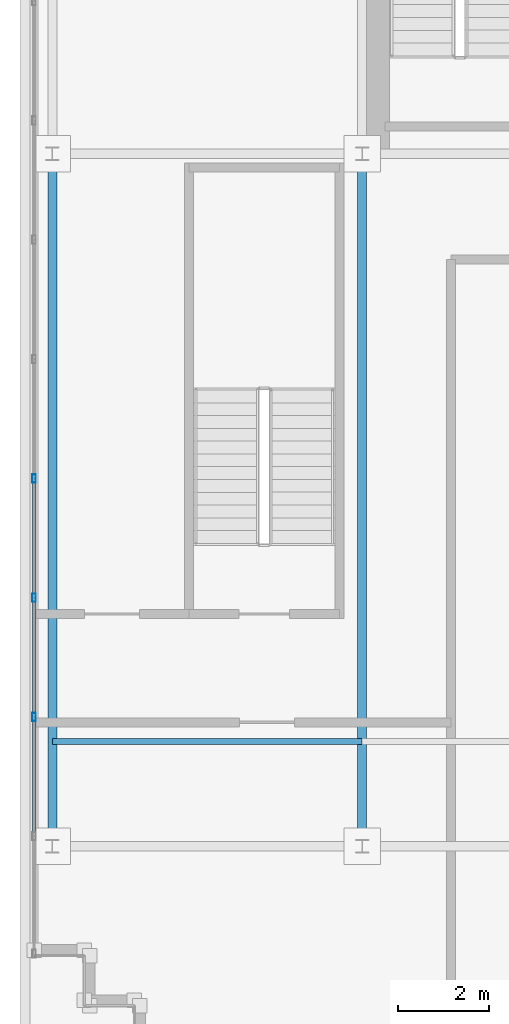
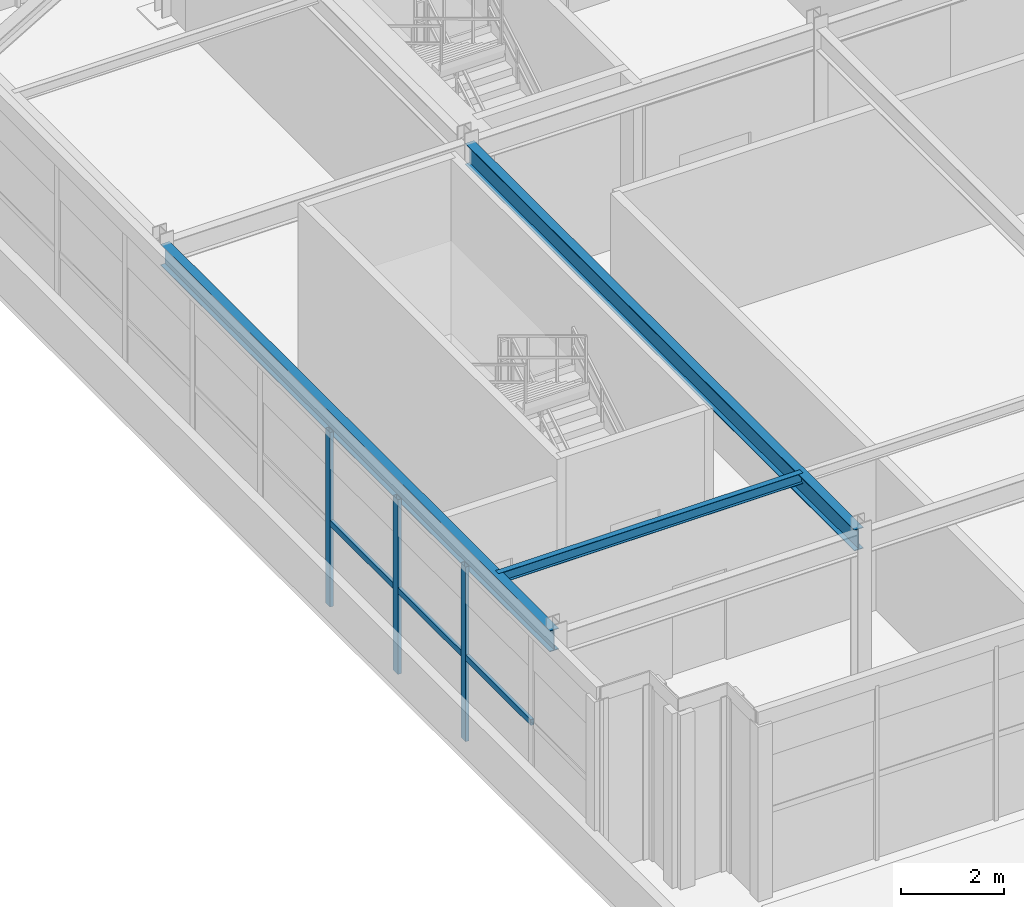
# One storey, part 8 of 38: 7 members, 2 beams, 1 element without a shape of its own.
"""IFC4 building model written with IfcOpenShell, lengths in metres."""

from ifc_helpers import new_model, si_unit, direction, frame, origin, origin_2d, place, context, subcontext, project, spatial, hollow_rectangle, i_section, extrude, source, transform, mapped, material, material_profile, profile_set, type_object, element, aggregate, save


model = new_model("IFC4")

# Units and contexts
model_context = context("Model", 3, precision=1e-05, world=origin(), true_north=direction((0.0, 1.0)))
body_context = subcontext(model_context, "Body", "Model", "MODEL_VIEW")
ifc_project = project(units=[si_unit("LENGTHUNIT", "METRE"), si_unit("AREAUNIT", "SQUARE_METRE"), si_unit("VOLUMEUNIT", "CUBIC_METRE"), si_unit("PLANEANGLEUNIT", "RADIAN"), si_unit("MASSUNIT", "GRAM", prefix="KILO")], contexts=[model_context])

# Site, building, storey
site_placement = place(None, origin())
site = spatial("IfcSite", under=ifc_project, at=site_placement, CompositionType="ELEMENT")
building_placement = place(site_placement, origin())
building = spatial("IfcBuilding", under=site, at=building_placement, Name="Trelvane Seafront Commons", CompositionType="ELEMENT")
storey_placement = place(building_placement, frame((0.0, 0.0, 299.10009765625)))
storey = spatial("IfcBuildingStorey", under=building, at=storey_placement, Name="L78", CompositionType="ELEMENT", Elevation=299.10009765625)

# Beams
ifc_material_1 = material(Name="Steel SM355 (S355)", Category="steel")
ifc_material_profile_1 = material_profile(ifc_material_1, i_section(OverallWidth=0.199951171875, OverallDepth=0.5, WebThickness=0.010009765625, FlangeThickness=0.01611328125, at=origin_2d()), Name="H-500x200x10x16")
ifc_profile_set_1 = profile_set([ifc_material_profile_1], Name="Steel SM355 (S355)")
beam_type = type_object("IfcBeamType", Name="STR-BM-H500", PredefinedType="BEAM", material=ifc_profile_set_1)
shared_shape_1 = source(origin(), body_context, "Body", "SweptSolid", [
    extrude(i_section(OverallWidth=0.199951171875, OverallDepth=0.5, WebThickness=0.010009765625, FlangeThickness=0.01611328125, at=origin_2d()), origin(), (0.0, 0.0, 1.0), 15.050048828125),
])
for number, where, z_axis, x_axis, name in (
    (1, (8.800048828125, 18.27490234375, 3.869873046875), (0.0, 1.0, 0.0), (-1.0, 0.0, 0.0), "L78 Primary Girder G-22"),
    (2, (15.60009765625, 18.27490234375, 3.869873046875), (0.0, 1.0, 0.0), (-1.0, 0.0, 0.0), "L78 Primary Girder G-24"),
):
    element("IfcBeam", number, at=place(storey_placement, frame(where, z_axis=z_axis, x_axis=x_axis)), inside=storey, type_object=beam_type, Name=name, PredefinedType="BEAM", context=body_context, shape_type="MappedRepresentation", body=[
        mapped(shared_shape_1, transform((0.0, 0.0, 0.0), x_axis=(1.0, 0.0, 0.0), y_axis=(0.0, 1.0, 0.0), z_axis=(0.0, 0.0, 1.0), scale=1.0)),
    ])

# Member
ifc_material_profile_2 = material_profile(ifc_material_1, i_section(OverallWidth=0.125, OverallDepth=0.25, WebThickness=0.006103515625, FlangeThickness=0.009033203125, at=origin_2d()), Name="H-250x125x6x9")
ifc_profile_set_2 = profile_set([ifc_material_profile_2], Name="Steel SM355 (S355)")
member_type_1 = type_object("IfcMemberType", Name="STR-PUR-H250", PredefinedType="PURLIN", material=ifc_profile_set_2)
shared_shape_2 = source(origin(), body_context, "Body", "SweptSolid", [
    extrude(i_section(OverallWidth=0.125, OverallDepth=0.25, WebThickness=0.006103515625, FlangeThickness=0.009033203125, at=origin_2d()), origin(), (0.0, 0.0, 1.0), 6.800048828125),
])
member_1_placement = place(storey_placement, frame((8.800048828125, 20.5, 3.994873046875), z_axis=(1.0, 0.0, 0.0), x_axis=(0.0, 1.0, 0.0)))
element("IfcMember", 3, at=member_1_placement, inside=storey, type_object=member_type_1, Name="L78 Crown Roof Purlin PR-1", PredefinedType="PURLIN", context=body_context, shape_type="MappedRepresentation", body=[
    mapped(shared_shape_2, transform((0.0, 0.0, 0.0), x_axis=(1.0, 0.0, 0.0), y_axis=(0.0, 1.0, 0.0), z_axis=(0.0, 0.0, 1.0), scale=1.0)),
])

# Curtain wall, members
ifc_material_2 = material(Name="Anodised pale-silver aluminium", Category="aluminium")
curtain_wall_type = type_object("IfcCurtainWallType", Name="ARCH-CW6-CROWN", PredefinedType="NOTDEFINED", material=ifc_material_2)
curtain_wall_placement = place(storey_placement, origin())
curtain_wall = element("IfcCurtainWall", 4, at=curtain_wall_placement, inside=storey, type_object=curtain_wall_type, Name="CW-L78-0124", PredefinedType="NOTDEFINED")
ifc_material_profile_3 = material_profile(ifc_material_2, hollow_rectangle(XDim=0.080078125, YDim=0.179931640625, WallThickness=0.00439453125, at=origin_2d()), Name="MULL-80x180x4.5")
ifc_profile_set_3 = profile_set([ifc_material_profile_3], Name="Anodised pale-silver aluminium")
member_type_2 = type_object("IfcMemberType", Name="ARCH-CW-MULL-180", PredefinedType="MULLION", material=ifc_profile_set_3)
shared_shape_3 = source(origin(), body_context, "Body", "SweptSolid", [
    extrude(hollow_rectangle(XDim=0.080078125, YDim=0.179931640625, WallThickness=0.00439453125, at=origin_2d()), origin(), (0.0, 0.0, 1.0), 4.119873046875),
])
member_2_placement = place(storey_placement, frame((8.39990234375, 21.036376953125, 0.0), z_axis=(0.0, 0.0, 1.0), x_axis=(1.0, 0.0, 0.0)))
member_2 = element("IfcMember", 5, at=member_2_placement, type_object=member_type_2, Name="CW-L78-0124-M02", PredefinedType="MULLION", context=body_context, shape_type="MappedRepresentation", body=[
    mapped(shared_shape_3, transform((0.0, 0.0, 0.0), x_axis=(1.0, 0.0, 0.0), y_axis=(0.0, 1.0, 0.0), z_axis=(0.0, 0.0, 1.0), scale=1.0)),
])
member_3_placement = place(storey_placement, frame((8.39990234375, 23.654541015625, 0.0), z_axis=(0.0, 0.0, 1.0), x_axis=(1.0, 0.0, 0.0)))
member_3 = element("IfcMember", 6, at=member_3_placement, type_object=member_type_2, Name="CW-L78-0124-M03", PredefinedType="MULLION", context=body_context, shape_type="MappedRepresentation", body=[
    mapped(shared_shape_3, transform((0.0, 0.0, 0.0), x_axis=(1.0, 0.0, 0.0), y_axis=(0.0, 1.0, 0.0), z_axis=(0.0, 0.0, 1.0), scale=1.0)),
])
member_4_placement = place(storey_placement, frame((8.39990234375, 26.272705078125, 0.0), z_axis=(0.0, 0.0, 1.0), x_axis=(1.0, 0.0, 0.0)))
member_4 = element("IfcMember", 7, at=member_4_placement, type_object=member_type_2, Name="CW-L78-0124-M04", PredefinedType="MULLION", context=body_context, shape_type="MappedRepresentation", body=[
    mapped(shared_shape_3, transform((0.0, 0.0, 0.0), x_axis=(1.0, 0.0, 0.0), y_axis=(0.0, 1.0, 0.0), z_axis=(0.0, 0.0, 1.0), scale=1.0)),
])
ifc_material_profile_4 = material_profile(ifc_material_2, hollow_rectangle(XDim=0.074951171875, YDim=0.139892578125, WallThickness=0.00390625, at=origin_2d()), Name="TRAN-75x140x4")
ifc_profile_set_4 = profile_set([ifc_material_profile_4], Name="Anodised pale-silver aluminium")
member_type_3 = type_object("IfcMemberType", Name="ARCH-CW-TRAN-140", PredefinedType="USERDEFINED", material=ifc_profile_set_4)
shared_shape_4 = source(origin(), body_context, "Body", "SweptSolid", [
    extrude(hollow_rectangle(XDim=0.074951171875, YDim=0.139892578125, WallThickness=0.00390625, at=origin_2d()), origin(), (0.0, 0.0, 1.0), 2.59423828125),
])
member_5_placement = place(storey_placement, frame((8.39990234375, 18.43017578125, 1.977783203125), z_axis=(0.0, 1.0, 0.0), x_axis=(-1.0, 0.0, 0.0)))
member_5 = element("IfcMember", 8, at=member_5_placement, type_object=member_type_3, Name="CW-L78-0124-T01", ObjectType="TRANSOM", PredefinedType="USERDEFINED", context=body_context, shape_type="MappedRepresentation", body=[
    mapped(shared_shape_4, transform((0.0, 0.0, 0.0), x_axis=(1.0, 0.0, 0.0), y_axis=(0.0, 1.0, 0.0), z_axis=(0.0, 0.0, 1.0), scale=1.0)),
])
member_6_placement = place(storey_placement, frame((8.39990234375, 21.04833984375, 1.977783203125), z_axis=(0.0, 1.0, 0.0), x_axis=(-1.0, 0.0, 0.0)))
member_6 = element("IfcMember", 9, at=member_6_placement, type_object=member_type_3, Name="CW-L78-0124-T02", ObjectType="TRANSOM", PredefinedType="USERDEFINED", context=body_context, shape_type="MappedRepresentation", body=[
    mapped(shared_shape_4, transform((0.0, 0.0, 0.0), x_axis=(1.0, 0.0, 0.0), y_axis=(0.0, 1.0, 0.0), z_axis=(0.0, 0.0, 1.0), scale=1.0)),
])
member_7_placement = place(storey_placement, frame((8.39990234375, 23.66650390625, 1.977783203125), z_axis=(0.0, 1.0, 0.0), x_axis=(-1.0, 0.0, 0.0)))
member_7 = element("IfcMember", 10, at=member_7_placement, type_object=member_type_3, Name="CW-L78-0124-T03", ObjectType="TRANSOM", PredefinedType="USERDEFINED", context=body_context, shape_type="MappedRepresentation", body=[
    mapped(shared_shape_4, transform((0.0, 0.0, 0.0), x_axis=(1.0, 0.0, 0.0), y_axis=(0.0, 1.0, 0.0), z_axis=(0.0, 0.0, 1.0), scale=1.0)),
])
aggregate(curtain_wall, [member_2, member_3, member_4, member_5, member_6, member_7])

save(model, "model.ifc")
